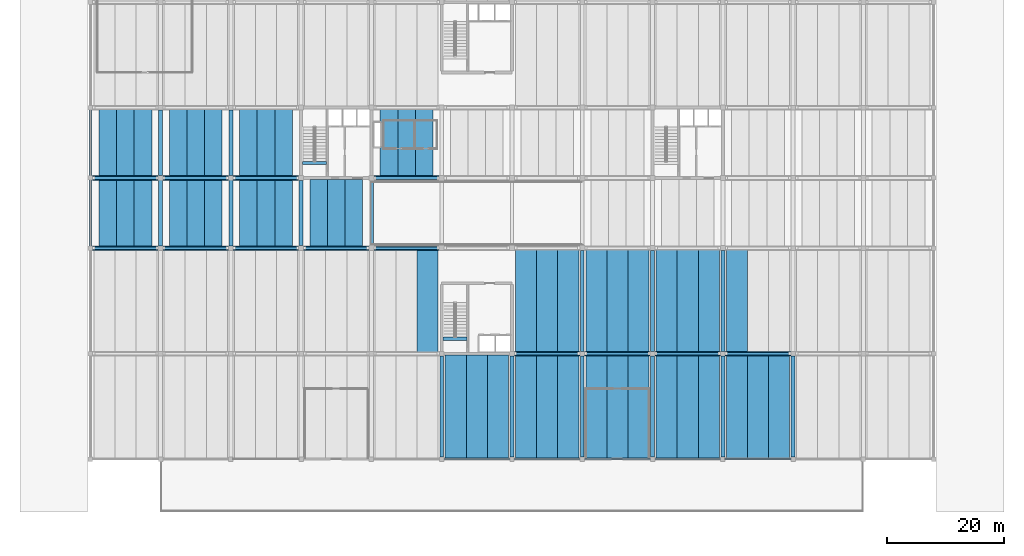
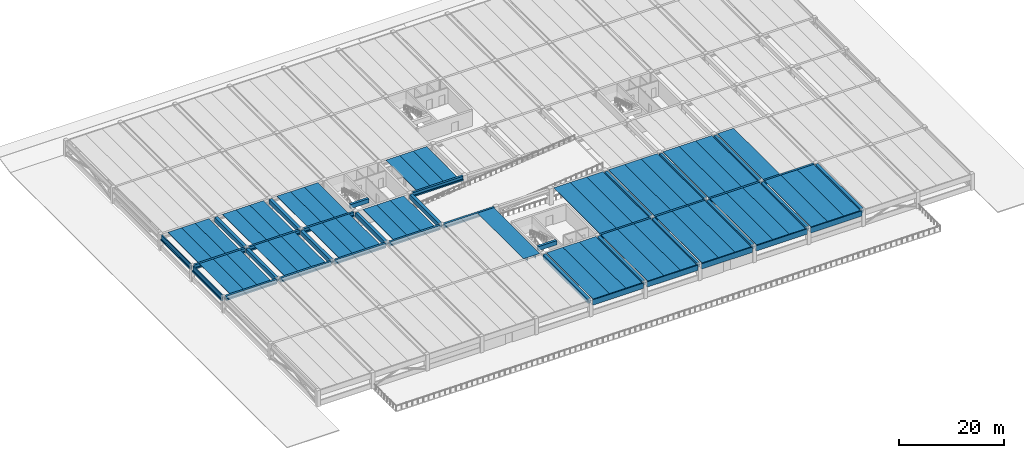
# One storey, part 2 of 16: 87 beams.
"""IFC4 building model written with IfcOpenShell, lengths in metres."""

from ifc_helpers import new_model, si_unit, direction, frame, origin, origin_2d, place, context, subcontext, project, spatial, polyline, rectangle, outline, extrude, material, material_profile, profile_set, type_object, element, save


model = new_model("IFC4")

# Units and contexts
model_context = context("Model", 3, precision=1e-05, world=origin(), true_north=direction((0.0, 1.0)))
body_context = subcontext(model_context, "Body", "Model", "MODEL_VIEW")
ifc_project = project(units=[si_unit("LENGTHUNIT", "METRE"), si_unit("AREAUNIT", "SQUARE_METRE"), si_unit("VOLUMEUNIT", "CUBIC_METRE"), si_unit("PLANEANGLEUNIT", "RADIAN"), si_unit("MASSUNIT", "GRAM", prefix="KILO")], contexts=[model_context])

# Site, building, storey
site_placement = place(None, origin())
site = spatial("IfcSite", under=ifc_project, at=site_placement, CompositionType="ELEMENT")
building_placement = place(site_placement, origin())
building = spatial("IfcBuilding", under=site, at=building_placement, Name="Girod Span Mobility Hub", CompositionType="ELEMENT")
storey_placement = place(building_placement, frame((0.0, 0.0, 21.0)))
storey = spatial("IfcBuildingStorey", under=building, at=storey_placement, Name="L05", CompositionType="ELEMENT", Elevation=21.0)

# Beams
ifc_material_1 = material(Name="Concrete C50/60", Category="concrete")
ifc_material_profile_1 = material_profile(ifc_material_1, outline(polyline([(-1.5, 0.300048828125), (-1.5, 0.2099609375), (-0.8349609375, 0.2099609375), (-0.8125, -0.300048828125), (-0.6875, -0.300048828125), (-0.6650390625, 0.2099609375), (0.6650390625, 0.2099609375), (0.6875, -0.300048828125), (0.8125, -0.300048828125), (0.8349609375, 0.2099609375), (1.5, 0.2099609375), (1.5, 0.300048828125), (-1.5, 0.300048828125)])), Name="DT-3000X600")
ifc_profile_set_1 = profile_set([ifc_material_profile_1], Name="Concrete C50/60")
beam_type_1 = type_object("IfcBeamType", Name="BM-DT-3000X600", PredefinedType="JOIST", material=ifc_profile_set_1)
for number, where, z_axis, x_axis, name in (
    (1, (15.0, 45.22705078125, 3.3349609375), (0.0, 1.0, 0.0), (-1.0, 0.0, 0.0), "Double-Tee Deck 2/D-1 L05"),
    (2, (18.0, 45.22705078125, 3.3349609375), (0.0, 1.0, 0.0), (-1.0, 0.0, 0.0), "Double-Tee Deck 2/D-2 L05"),
    (3, (21.0, 45.22705078125, 3.3349609375), (0.0, 1.0, 0.0), (-1.0, 0.0, 0.0), "Double-Tee Deck 2/D-3 L05"),
    (4, (15.0, 57.22705078125, 3.3349609375), (0.0, 1.0, 0.0), (-1.0, 0.0, 0.0), "Double-Tee Deck 2/E-1 L05"),
    (5, (18.0, 57.22705078125, 3.3349609375), (0.0, 1.0, 0.0), (-1.0, 0.0, 0.0), "Double-Tee Deck 2/E-2 L05"),
    (6, (21.0, 57.22705078125, 3.3349609375), (0.0, 1.0, 0.0), (-1.0, 0.0, 0.0), "Double-Tee Deck 2/E-3 L05"),
    (7, (27.0, 45.22705078125, 3.3349609375), (0.0, 1.0, 0.0), (-1.0, 0.0, 0.0), "Double-Tee Deck 3/D-1 L05"),
    (8, (30.0, 45.22705078125, 3.3349609375), (0.0, 1.0, 0.0), (-1.0, 0.0, 0.0), "Double-Tee Deck 3/D-2 L05"),
    (9, (33.0, 45.22705078125, 3.3349609375), (0.0, 1.0, 0.0), (-1.0, 0.0, 0.0), "Double-Tee Deck 3/D-3 L05"),
    (10, (27.0, 57.22705078125, 3.3349609375), (0.0, 1.0, 0.0), (-1.0, 0.0, 0.0), "Double-Tee Deck 3/E-1 L05"),
    (11, (30.0, 57.22705078125, 3.3349609375), (0.0, 1.0, 0.0), (-1.0, 0.0, 0.0), "Double-Tee Deck 3/E-2 L05"),
    (12, (33.0, 57.22705078125, 3.3349609375), (0.0, 1.0, 0.0), (-1.0, 0.0, 0.0), "Double-Tee Deck 3/E-3 L05"),
    (13, (39.0, 45.22705078125, 3.3349609375), (0.0, 1.0, 0.0), (-1.0, 0.0, 0.0), "Double-Tee Deck 4/D-1 L05"),
    (14, (42.0, 45.22705078125, 3.3349609375), (0.0, 1.0, 0.0), (-1.0, 0.0, 0.0), "Double-Tee Deck 4/D-2 L05"),
    (15, (45.0, 45.22705078125, 3.3349609375), (0.0, 1.0, 0.0), (-1.0, 0.0, 0.0), "Double-Tee Deck 4/D-3 L05"),
    (16, (39.0, 57.22705078125, 3.3349609375), (0.0, 1.0, 0.0), (-1.0, 0.0, 0.0), "Double-Tee Deck 4/E-1 L05"),
    (17, (42.0, 57.22705078125, 3.3349609375), (0.0, 1.0, 0.0), (-1.0, 0.0, 0.0), "Double-Tee Deck 4/E-2 L05"),
    (18, (45.0, 57.22705078125, 3.3349609375), (0.0, 1.0, 0.0), (-1.0, 0.0, 0.0), "Double-Tee Deck 4/E-3 L05"),
):
    element("IfcBeam", number, at=place(storey_placement, frame(where, z_axis=z_axis, x_axis=x_axis)), inside=storey, type_object=beam_type_1, Name=name, PredefinedType="JOIST", context=body_context, shape_type="SweptSolid", body=[
        extrude(outline(polyline([(-1.5, 0.300048828125), (-1.5, 0.2099609375), (-0.8349609375, 0.2099609375), (-0.8125, -0.300048828125), (-0.6875, -0.300048828125), (-0.6650390625, 0.2099609375), (0.6650390625, 0.2099609375), (0.6875, -0.300048828125), (0.8125, -0.300048828125), (0.8349609375, 0.2099609375), (1.5, 0.2099609375), (1.5, 0.300048828125), (-1.5, 0.300048828125)])), origin(), (0.0, 0.0, 1.0), 11.5458984375),
    ])
for number, where, z_axis, x_axis, name in (
    (19, (51.0, 45.22705078125, 3.3349609375), (0.0, 1.0, 0.0), (-1.0, 0.0, 0.0), "Double-Tee Deck 5/D-1 L05"),
    (20, (54.0, 45.22705078125, 3.3349609375), (0.0, 1.0, 0.0), (-1.0, 0.0, 0.0), "Double-Tee Deck 5/D-2 L05"),
    (21, (57.0, 45.22705078125, 3.3349609375), (0.0, 1.0, 0.0), (-1.0, 0.0, 0.0), "Double-Tee Deck 5/D-3 L05"),
):
    element("IfcBeam", number, at=place(storey_placement, frame(where, z_axis=z_axis, x_axis=x_axis)), inside=storey, type_object=beam_type_1, Name=name, PredefinedType="JOIST", context=body_context, shape_type="SweptSolid", body=[
        extrude(outline(polyline([(-1.5, 0.300048828125), (-1.5, 0.2099609375), (-0.8349609375, 0.2099609375), (-0.8125, -0.300048828125), (-0.6875, -0.300048828125), (-0.6650390625, 0.2099609375), (0.6650390625, 0.2099609375), (0.6875, -0.300048828125), (0.8125, -0.300048828125), (0.8349609375, 0.2099609375), (1.5, 0.2099609375), (1.5, 0.300048828125), (-1.5, 0.300048828125)])), origin(), (0.0, 0.0, 1.0), 11.52587890625),
    ])
for number, where, z_axis, x_axis, name in (
    (22, (63.0, 57.22705078125, 3.3349609375), (0.0, 1.0, 0.0), (-1.0, 0.0, 0.0), "Double-Tee Deck 6/E-1 L05"),
    (23, (66.0, 57.22705078125, 3.3349609375), (0.0, 1.0, 0.0), (-1.0, 0.0, 0.0), "Double-Tee Deck 6/E-2 L05"),
    (24, (69.0, 57.22705078125, 3.3349609375), (0.0, 1.0, 0.0), (-1.0, 0.0, 0.0), "Double-Tee Deck 6/E-3 L05"),
):
    element("IfcBeam", number, at=place(storey_placement, frame(where, z_axis=z_axis, x_axis=x_axis)), inside=storey, type_object=beam_type_1, Name=name, PredefinedType="JOIST", context=body_context, shape_type="SweptSolid", body=[
        extrude(outline(polyline([(-1.5, 0.300048828125), (-1.5, 0.2099609375), (-0.8349609375, 0.2099609375), (-0.8125, -0.300048828125), (-0.6875, -0.300048828125), (-0.6650390625, 0.2099609375), (0.6650390625, 0.2099609375), (0.6875, -0.300048828125), (0.8125, -0.300048828125), (0.8349609375, 0.2099609375), (1.5, 0.2099609375), (1.5, 0.300048828125), (-1.5, 0.300048828125)])), origin(), (0.0, 0.0, 1.0), 11.5458984375),
    ])
ifc_material_2 = material(Name="Concrete C50/60", Category="concrete")
ifc_material_profile_2 = material_profile(ifc_material_2, outline(polyline([(-1.800048828125, 0.425048828125), (-1.800048828125, 0.324951171875), (-1.0, 0.324951171875), (-0.969970703125, -0.425048828125), (-0.830078125, -0.425048828125), (-0.800048828125, 0.324951171875), (0.800048828125, 0.324951171875), (0.830078125, -0.425048828125), (0.969970703125, -0.425048828125), (1.0, 0.324951171875), (1.800048828125, 0.324951171875), (1.800048828125, 0.425048828125), (-1.800048828125, 0.425048828125)])), Name="DT-3600X850")
ifc_profile_set_2 = profile_set([ifc_material_profile_2], Name="Concrete C50/60")
beam_type_2 = type_object("IfcBeamType", Name="BM-DT-3600X850", PredefinedType="JOIST", material=ifc_profile_set_2)
beam_1_placement = place(storey_placement, frame((69.60009765625, 27.22705078125, 3.2099609375), z_axis=(0.0, 1.0, 0.0), x_axis=(-1.0, 0.0, 0.0)))
element("IfcBeam", 25, at=beam_1_placement, inside=storey, type_object=beam_type_2, Name="Double-Tee Deck 6/C-3 L05", PredefinedType="JOIST", context=body_context, shape_type="SweptSolid", body=[
    extrude(outline(polyline([(-1.800048828125, 0.425048828125), (-1.800048828125, 0.324951171875), (-1.0, 0.324951171875), (-0.969970703125, -0.425048828125), (-0.830078125, -0.425048828125), (-0.800048828125, 0.324951171875), (0.800048828125, 0.324951171875), (0.830078125, -0.425048828125), (0.969970703125, -0.425048828125), (1.0, 0.324951171875), (1.800048828125, 0.324951171875), (1.800048828125, 0.425048828125), (-1.800048828125, 0.425048828125)])), origin(), (0.0, 0.0, 1.0), 17.5458984375),
])
for number, where, z_axis, x_axis, name in (
    (26, (74.39990234375, 9.01708984375, 3.2099609375), (0.0, 1.0, 0.0), (-1.0, 0.0, 0.0), "Double-Tee Deck 7/B-1 L05"),
    (27, (78.0, 9.01708984375, 3.2099609375), (0.0, 1.0, 0.0), (-1.0, 0.0, 0.0), "Double-Tee Deck 7/B-2 L05"),
    (28, (81.60009765625, 9.01708984375, 3.2099609375), (0.0, 1.0, 0.0), (-1.0, 0.0, 0.0), "Double-Tee Deck 7/B-3 L05"),
):
    element("IfcBeam", number, at=place(storey_placement, frame(where, z_axis=z_axis, x_axis=x_axis)), inside=storey, type_object=beam_type_2, Name=name, PredefinedType="JOIST", context=body_context, shape_type="SweptSolid", body=[
        extrude(outline(polyline([(-1.800048828125, 0.425048828125), (-1.800048828125, 0.324951171875), (-1.0, 0.324951171875), (-0.969970703125, -0.425048828125), (-0.830078125, -0.425048828125), (-0.800048828125, 0.324951171875), (0.800048828125, 0.324951171875), (0.830078125, -0.425048828125), (0.969970703125, -0.425048828125), (1.0, 0.324951171875), (1.800048828125, 0.324951171875), (1.800048828125, 0.425048828125), (-1.800048828125, 0.425048828125)])), origin(), (0.0, 0.0, 1.0), 17.760986328125),
    ])
for number, where, z_axis, x_axis, name in (
    (29, (86.39990234375, 9.01708984375, 3.2099609375), (0.0, 1.0, 0.0), (-1.0, 0.0, 0.0), "Double-Tee Deck 8/B-1 L05"),
    (30, (90.0, 9.01708984375, 3.2099609375), (0.0, 1.0, 0.0), (-1.0, 0.0, 0.0), "Double-Tee Deck 8/B-2 L05"),
    (31, (93.60009765625, 9.01708984375, 3.2099609375), (0.0, 1.0, 0.0), (-1.0, 0.0, 0.0), "Double-Tee Deck 8/B-3 L05"),
):
    element("IfcBeam", number, at=place(storey_placement, frame(where, z_axis=z_axis, x_axis=x_axis)), inside=storey, type_object=beam_type_2, Name=name, PredefinedType="JOIST", context=body_context, shape_type="SweptSolid", body=[
        extrude(outline(polyline([(-1.800048828125, 0.425048828125), (-1.800048828125, 0.324951171875), (-1.0, 0.324951171875), (-0.969970703125, -0.425048828125), (-0.830078125, -0.425048828125), (-0.800048828125, 0.324951171875), (0.800048828125, 0.324951171875), (0.830078125, -0.425048828125), (0.969970703125, -0.425048828125), (1.0, 0.324951171875), (1.800048828125, 0.324951171875), (1.800048828125, 0.425048828125), (-1.800048828125, 0.425048828125)])), origin(), (0.0, 0.0, 1.0), 17.755859375),
    ])
for number, where, z_axis, x_axis, name in (
    (32, (86.39990234375, 27.22705078125, 3.2099609375), (0.0, 1.0, 0.0), (-1.0, 0.0, 0.0), "Double-Tee Deck 8/C-1 L05"),
    (33, (90.0, 27.22705078125, 3.2099609375), (0.0, 1.0, 0.0), (-1.0, 0.0, 0.0), "Double-Tee Deck 8/C-2 L05"),
    (34, (93.60009765625, 27.22705078125, 3.2099609375), (0.0, 1.0, 0.0), (-1.0, 0.0, 0.0), "Double-Tee Deck 8/C-3 L05"),
):
    element("IfcBeam", number, at=place(storey_placement, frame(where, z_axis=z_axis, x_axis=x_axis)), inside=storey, type_object=beam_type_2, Name=name, PredefinedType="JOIST", context=body_context, shape_type="SweptSolid", body=[
        extrude(outline(polyline([(-1.800048828125, 0.425048828125), (-1.800048828125, 0.324951171875), (-1.0, 0.324951171875), (-0.969970703125, -0.425048828125), (-0.830078125, -0.425048828125), (-0.800048828125, 0.324951171875), (0.800048828125, 0.324951171875), (0.830078125, -0.425048828125), (0.969970703125, -0.425048828125), (1.0, 0.324951171875), (1.800048828125, 0.324951171875), (1.800048828125, 0.425048828125), (-1.800048828125, 0.425048828125)])), origin(), (0.0, 0.0, 1.0), 17.5458984375),
    ])
for number, where, z_axis, x_axis, name in (
    (35, (98.39990234375, 9.01708984375, 3.2099609375), (0.0, 1.0, 0.0), (-1.0, 0.0, 0.0), "Double-Tee Deck 9/B-1 L05"),
    (36, (102.0, 9.01708984375, 3.2099609375), (0.0, 1.0, 0.0), (-1.0, 0.0, 0.0), "Double-Tee Deck 9/B-2 L05"),
    (37, (105.60009765625, 9.01708984375, 3.2099609375), (0.0, 1.0, 0.0), (-1.0, 0.0, 0.0), "Double-Tee Deck 9/B-3 L05"),
):
    element("IfcBeam", number, at=place(storey_placement, frame(where, z_axis=z_axis, x_axis=x_axis)), inside=storey, type_object=beam_type_2, Name=name, PredefinedType="JOIST", context=body_context, shape_type="SweptSolid", body=[
        extrude(outline(polyline([(-1.800048828125, 0.425048828125), (-1.800048828125, 0.324951171875), (-1.0, 0.324951171875), (-0.969970703125, -0.425048828125), (-0.830078125, -0.425048828125), (-0.800048828125, 0.324951171875), (0.800048828125, 0.324951171875), (0.830078125, -0.425048828125), (0.969970703125, -0.425048828125), (1.0, 0.324951171875), (1.800048828125, 0.324951171875), (1.800048828125, 0.425048828125), (-1.800048828125, 0.425048828125)])), origin(), (0.0, 0.0, 1.0), 17.755859375),
    ])
for number, where, z_axis, x_axis, name in (
    (38, (98.39990234375, 27.22705078125, 3.2099609375), (0.0, 1.0, 0.0), (-1.0, 0.0, 0.0), "Double-Tee Deck 9/C-1 L05"),
    (39, (102.0, 27.22705078125, 3.2099609375), (0.0, 1.0, 0.0), (-1.0, 0.0, 0.0), "Double-Tee Deck 9/C-2 L05"),
    (40, (105.60009765625, 27.22705078125, 3.2099609375), (0.0, 1.0, 0.0), (-1.0, 0.0, 0.0), "Double-Tee Deck 9/C-3 L05"),
):
    element("IfcBeam", number, at=place(storey_placement, frame(where, z_axis=z_axis, x_axis=x_axis)), inside=storey, type_object=beam_type_2, Name=name, PredefinedType="JOIST", context=body_context, shape_type="SweptSolid", body=[
        extrude(outline(polyline([(-1.800048828125, 0.425048828125), (-1.800048828125, 0.324951171875), (-1.0, 0.324951171875), (-0.969970703125, -0.425048828125), (-0.830078125, -0.425048828125), (-0.800048828125, 0.324951171875), (0.800048828125, 0.324951171875), (0.830078125, -0.425048828125), (0.969970703125, -0.425048828125), (1.0, 0.324951171875), (1.800048828125, 0.324951171875), (1.800048828125, 0.425048828125), (-1.800048828125, 0.425048828125)])), origin(), (0.0, 0.0, 1.0), 17.5458984375),
    ])
for number, where, z_axis, x_axis, name in (
    (41, (110.39990234375, 9.01708984375, 3.2099609375), (0.0, 1.0, 0.0), (-1.0, 0.0, 0.0), "Double-Tee Deck 10/B-1 L05"),
    (42, (114.0, 9.01708984375, 3.2099609375), (0.0, 1.0, 0.0), (-1.0, 0.0, 0.0), "Double-Tee Deck 10/B-2 L05"),
    (43, (117.60009765625, 9.01708984375, 3.2099609375), (0.0, 1.0, 0.0), (-1.0, 0.0, 0.0), "Double-Tee Deck 10/B-3 L05"),
):
    element("IfcBeam", number, at=place(storey_placement, frame(where, z_axis=z_axis, x_axis=x_axis)), inside=storey, type_object=beam_type_2, Name=name, PredefinedType="JOIST", context=body_context, shape_type="SweptSolid", body=[
        extrude(outline(polyline([(-1.800048828125, 0.425048828125), (-1.800048828125, 0.324951171875), (-1.0, 0.324951171875), (-0.969970703125, -0.425048828125), (-0.830078125, -0.425048828125), (-0.800048828125, 0.324951171875), (0.800048828125, 0.324951171875), (0.830078125, -0.425048828125), (0.969970703125, -0.425048828125), (1.0, 0.324951171875), (1.800048828125, 0.324951171875), (1.800048828125, 0.425048828125), (-1.800048828125, 0.425048828125)])), origin(), (0.0, 0.0, 1.0), 17.755859375),
    ])
for number, where, z_axis, x_axis, name in (
    (44, (110.39990234375, 27.22705078125, 3.2099609375), (0.0, 1.0, 0.0), (-1.0, 0.0, 0.0), "Double-Tee Deck 10/C-1 L05"),
    (45, (114.0, 27.22705078125, 3.2099609375), (0.0, 1.0, 0.0), (-1.0, 0.0, 0.0), "Double-Tee Deck 10/C-2 L05"),
    (46, (117.60009765625, 27.22705078125, 3.2099609375), (0.0, 1.0, 0.0), (-1.0, 0.0, 0.0), "Double-Tee Deck 10/C-3 L05"),
):
    element("IfcBeam", number, at=place(storey_placement, frame(where, z_axis=z_axis, x_axis=x_axis)), inside=storey, type_object=beam_type_2, Name=name, PredefinedType="JOIST", context=body_context, shape_type="SweptSolid", body=[
        extrude(outline(polyline([(-1.800048828125, 0.425048828125), (-1.800048828125, 0.324951171875), (-1.0, 0.324951171875), (-0.969970703125, -0.425048828125), (-0.830078125, -0.425048828125), (-0.800048828125, 0.324951171875), (0.800048828125, 0.324951171875), (0.830078125, -0.425048828125), (0.969970703125, -0.425048828125), (1.0, 0.324951171875), (1.800048828125, 0.324951171875), (1.800048828125, 0.425048828125), (-1.800048828125, 0.425048828125)])), origin(), (0.0, 0.0, 1.0), 17.5458984375),
    ])
for number, where, z_axis, x_axis, name in (
    (47, (122.39990234375, 9.01708984375, 3.2099609375), (0.0, 1.0, 0.0), (-1.0, 0.0, 0.0), "Double-Tee Deck 11/B-1 L05"),
    (48, (126.0, 9.01708984375, 3.2099609375), (0.0, 1.0, 0.0), (-1.0, 0.0, 0.0), "Double-Tee Deck 11/B-2 L05"),
    (49, (129.60009765625, 9.01708984375, 3.2099609375), (0.0, 1.0, 0.0), (-1.0, 0.0, 0.0), "Double-Tee Deck 11/B-3 L05"),
):
    element("IfcBeam", number, at=place(storey_placement, frame(where, z_axis=z_axis, x_axis=x_axis)), inside=storey, type_object=beam_type_2, Name=name, PredefinedType="JOIST", context=body_context, shape_type="SweptSolid", body=[
        extrude(outline(polyline([(-1.800048828125, 0.425048828125), (-1.800048828125, 0.324951171875), (-1.0, 0.324951171875), (-0.969970703125, -0.425048828125), (-0.830078125, -0.425048828125), (-0.800048828125, 0.324951171875), (0.800048828125, 0.324951171875), (0.830078125, -0.425048828125), (0.969970703125, -0.425048828125), (1.0, 0.324951171875), (1.800048828125, 0.324951171875), (1.800048828125, 0.425048828125), (-1.800048828125, 0.425048828125)])), origin(), (0.0, 0.0, 1.0), 17.755859375),
    ])
beam_2_placement = place(storey_placement, frame((122.39990234375, 27.22705078125, 3.2099609375), z_axis=(0.0, 1.0, 0.0), x_axis=(-1.0, 0.0, 0.0)))
element("IfcBeam", 50, at=beam_2_placement, inside=storey, type_object=beam_type_2, Name="Double-Tee Deck 11/C-1 L05", PredefinedType="JOIST", context=body_context, shape_type="SweptSolid", body=[
    extrude(outline(polyline([(-1.800048828125, 0.425048828125), (-1.800048828125, 0.324951171875), (-1.0, 0.324951171875), (-0.969970703125, -0.425048828125), (-0.830078125, -0.425048828125), (-0.800048828125, 0.324951171875), (0.800048828125, 0.324951171875), (0.830078125, -0.425048828125), (0.969970703125, -0.425048828125), (1.0, 0.324951171875), (1.800048828125, 0.324951171875), (1.800048828125, 0.425048828125), (-1.800048828125, 0.425048828125)])), origin(), (0.0, 0.0, 1.0), 17.5458984375),
])
ifc_material_3 = material(Name="Concrete C50/60", Category="concrete")
ifc_material_profile_3 = material_profile(ifc_material_3, outline(polyline([(-0.39990234375, -0.449951171875), (0.39990234375, -0.449951171875), (0.39990234375, -0.14990234375), (0.22998046875, -0.14990234375), (0.22998046875, 0.449951171875), (-0.22998046875, 0.449951171875), (-0.22998046875, -0.14990234375), (-0.39990234375, -0.14990234375), (-0.39990234375, -0.449951171875)])), Name="IT-800X900")
ifc_profile_set_3 = profile_set([ifc_material_profile_3], Name="Concrete C50/60")
beam_type_3 = type_object("IfcBeamType", Name="BM-IT-800X900", PredefinedType="T_BEAM", material=ifc_profile_set_3)
for number, where, z_axis, x_axis, name in (
    (51, (84.39697265625, 27.0, 3.18505859375), (1.0, 0.0, 0.0), (0.0, 1.0, 0.0), "Girder 8-9/C L05"),
    (52, (96.39697265625, 27.0, 3.18505859375), (1.0, 0.0, 0.0), (0.0, 1.0, 0.0), "Girder 9-10/C L05"),
    (53, (108.39697265625, 27.0, 3.18505859375), (1.0, 0.0, 0.0), (0.0, 1.0, 0.0), "Girder 10-11/C L05"),
    (54, (120.39697265625, 27.0, 3.18505859375), (1.0, 0.0, 0.0), (0.0, 1.0, 0.0), "Girder 11-12/C L05"),
):
    element("IfcBeam", number, at=place(storey_placement, frame(where, z_axis=z_axis, x_axis=x_axis)), inside=storey, type_object=beam_type_3, Name=name, PredefinedType="T_BEAM", context=body_context, shape_type="SweptSolid", body=[
        extrude(outline(polyline([(-0.39990234375, -0.449951171875), (0.39990234375, -0.449951171875), (0.39990234375, -0.14990234375), (0.22998046875, -0.14990234375), (0.22998046875, 0.449951171875), (-0.22998046875, 0.449951171875), (-0.22998046875, -0.14990234375), (-0.39990234375, -0.14990234375), (-0.39990234375, -0.449951171875)])), origin(), (0.0, 0.0, 1.0), 11.2060546875),
    ])
beam_3_placement = place(storey_placement, frame((12.3720703125, 45.0, 3.18505859375), z_axis=(1.0, 0.0, 0.0), x_axis=(0.0, 1.0, 0.0)))
element("IfcBeam", 55, at=beam_3_placement, inside=storey, type_object=beam_type_3, Name="Girder 2-3/D L05", PredefinedType="T_BEAM", context=body_context, shape_type="SweptSolid", body=[
    extrude(outline(polyline([(-0.39990234375, -0.449951171875), (0.39990234375, -0.449951171875), (0.39990234375, -0.14990234375), (0.22998046875, -0.14990234375), (0.22998046875, 0.449951171875), (-0.22998046875, 0.449951171875), (-0.22998046875, -0.14990234375), (-0.39990234375, -0.14990234375), (-0.39990234375, -0.449951171875)])), origin(), (0.0, 0.0, 1.0), 11.23095703125),
])
beam_4_placement = place(storey_placement, frame((24.39697265625, 45.0, 3.18505859375), z_axis=(1.0, 0.0, 0.0), x_axis=(0.0, 1.0, 0.0)))
element("IfcBeam", 56, at=beam_4_placement, inside=storey, type_object=beam_type_3, Name="Girder 3-4/D L05", PredefinedType="T_BEAM", context=body_context, shape_type="SweptSolid", body=[
    extrude(outline(polyline([(-0.39990234375, -0.449951171875), (0.39990234375, -0.449951171875), (0.39990234375, -0.14990234375), (0.22998046875, -0.14990234375), (0.22998046875, 0.449951171875), (-0.22998046875, 0.449951171875), (-0.22998046875, -0.14990234375), (-0.39990234375, -0.14990234375), (-0.39990234375, -0.449951171875)])), origin(), (0.0, 0.0, 1.0), 11.2060546875),
])
beam_5_placement = place(storey_placement, frame((36.39697265625, 45.0, 3.18505859375), z_axis=(1.0, 0.0, 0.0), x_axis=(0.0, 1.0, 0.0)))
element("IfcBeam", 57, at=beam_5_placement, inside=storey, type_object=beam_type_3, Name="Girder 4-5/D L05", PredefinedType="T_BEAM", context=body_context, shape_type="SweptSolid", body=[
    extrude(outline(polyline([(-0.39990234375, -0.449951171875), (0.39990234375, -0.449951171875), (0.39990234375, -0.14990234375), (0.22998046875, -0.14990234375), (0.22998046875, 0.449951171875), (-0.22998046875, 0.449951171875), (-0.22998046875, -0.14990234375), (-0.39990234375, -0.14990234375), (-0.39990234375, -0.449951171875)])), origin(), (0.0, 0.0, 1.0), 11.180908203125),
])
for number, where, z_axis, x_axis, name in (
    (58, (48.422119140625, 45.0, 3.18505859375), (1.0, 0.0, 0.0), (0.0, 1.0, 0.0), "Girder 5-6/D L05"),
    (59, (60.422119140625, 45.0, 3.18505859375), (1.0, 0.0, 0.0), (0.0, 1.0, 0.0), "Girder 6-7/D L05"),
):
    element("IfcBeam", number, at=place(storey_placement, frame(where, z_axis=z_axis, x_axis=x_axis)), inside=storey, type_object=beam_type_3, Name=name, PredefinedType="T_BEAM", context=body_context, shape_type="SweptSolid", body=[
        extrude(outline(polyline([(-0.39990234375, -0.449951171875), (0.39990234375, -0.449951171875), (0.39990234375, -0.14990234375), (0.22998046875, -0.14990234375), (0.22998046875, 0.449951171875), (-0.22998046875, 0.449951171875), (-0.22998046875, -0.14990234375), (-0.39990234375, -0.14990234375), (-0.39990234375, -0.449951171875)])), origin(), (0.0, 0.0, 1.0), 11.15576171875),
    ])
beam_6_placement = place(storey_placement, frame((12.3720703125, 57.0, 3.18505859375), z_axis=(1.0, 0.0, 0.0), x_axis=(0.0, 1.0, 0.0)))
element("IfcBeam", 60, at=beam_6_placement, inside=storey, type_object=beam_type_3, Name="Girder 2-3/E L05", PredefinedType="T_BEAM", context=body_context, shape_type="SweptSolid", body=[
    extrude(outline(polyline([(-0.39990234375, -0.449951171875), (0.39990234375, -0.449951171875), (0.39990234375, -0.14990234375), (0.22998046875, -0.14990234375), (0.22998046875, 0.449951171875), (-0.22998046875, 0.449951171875), (-0.22998046875, -0.14990234375), (-0.39990234375, -0.14990234375), (-0.39990234375, -0.449951171875)])), origin(), (0.0, 0.0, 1.0), 11.23095703125),
])
beam_7_placement = place(storey_placement, frame((24.39697265625, 57.0, 3.18505859375), z_axis=(1.0, 0.0, 0.0), x_axis=(0.0, 1.0, 0.0)))
element("IfcBeam", 61, at=beam_7_placement, inside=storey, type_object=beam_type_3, Name="Girder 3-4/E L05", PredefinedType="T_BEAM", context=body_context, shape_type="SweptSolid", body=[
    extrude(outline(polyline([(-0.39990234375, -0.449951171875), (0.39990234375, -0.449951171875), (0.39990234375, -0.14990234375), (0.22998046875, -0.14990234375), (0.22998046875, 0.449951171875), (-0.22998046875, 0.449951171875), (-0.22998046875, -0.14990234375), (-0.39990234375, -0.14990234375), (-0.39990234375, -0.449951171875)])), origin(), (0.0, 0.0, 1.0), 11.2060546875),
])
beam_8_placement = place(storey_placement, frame((36.39697265625, 57.0, 3.18505859375), z_axis=(1.0, 0.0, 0.0), x_axis=(0.0, 1.0, 0.0)))
element("IfcBeam", 62, at=beam_8_placement, inside=storey, type_object=beam_type_3, Name="Girder 4-5/E L05", PredefinedType="T_BEAM", context=body_context, shape_type="SweptSolid", body=[
    extrude(outline(polyline([(-0.39990234375, -0.449951171875), (0.39990234375, -0.449951171875), (0.39990234375, -0.14990234375), (0.22998046875, -0.14990234375), (0.22998046875, 0.449951171875), (-0.22998046875, 0.449951171875), (-0.22998046875, -0.14990234375), (-0.39990234375, -0.14990234375), (-0.39990234375, -0.449951171875)])), origin(), (0.0, 0.0, 1.0), 11.180908203125),
])
beam_9_placement = place(storey_placement, frame((60.422119140625, 57.0, 3.18505859375), z_axis=(1.0, 0.0, 0.0), x_axis=(0.0, 1.0, 0.0)))
element("IfcBeam", 63, at=beam_9_placement, inside=storey, type_object=beam_type_3, Name="Girder 6-7/E L05", PredefinedType="T_BEAM", context=body_context, shape_type="SweptSolid", body=[
    extrude(outline(polyline([(-0.39990234375, -0.449951171875), (0.39990234375, -0.449951171875), (0.39990234375, -0.14990234375), (0.22998046875, -0.14990234375), (0.22998046875, 0.449951171875), (-0.22998046875, 0.449951171875), (-0.22998046875, -0.14990234375), (-0.39990234375, -0.14990234375), (-0.39990234375, -0.449951171875)])), origin(), (0.0, 0.0, 1.0), 11.15576171875),
])
ifc_material_4 = material(Name="Concrete C40/50", Category="concrete")
ifc_material_profile_4 = material_profile(ifc_material_4, rectangle(XDim=0.550048828125, YDim=0.949951171875, at=origin_2d()), Name="RK-550X950")
ifc_profile_set_4 = profile_set([ifc_material_profile_4], Name="Concrete C40/50")
beam_type_4 = type_object("IfcBeamType", Name="BM-RK-550X950", PredefinedType="BEAM", material=ifc_profile_set_4)
beam_10_placement = place(storey_placement, frame((48.2470703125, 59.550048828125, 3.159912109375), z_axis=(1.0, 0.0, 0.0), x_axis=(0.0, 1.0, 0.0)))
element("IfcBeam", 64, at=beam_10_placement, inside=storey, type_object=beam_type_4, Name="Stair ST-1 Landing Header Beam L05", PredefinedType="BEAM", context=body_context, shape_type="SweptSolid", body=[
    extrude(rectangle(XDim=0.550048828125, YDim=0.949951171875, at=origin_2d()), origin(), (0.0, 0.0, 1.0), 4.055908203125),
])
beam_11_placement = place(storey_placement, frame((72.221923828125, 29.550048828125, 3.159912109375), z_axis=(1.0, 0.0, 0.0), x_axis=(0.0, 1.0, 0.0)))
element("IfcBeam", 65, at=beam_11_placement, inside=storey, type_object=beam_type_4, Name="Stair ST-3 Landing Header Beam L05", PredefinedType="BEAM", context=body_context, shape_type="SweptSolid", body=[
    extrude(rectangle(XDim=0.550048828125, YDim=0.949951171875, at=origin_2d()), origin(), (0.0, 0.0, 1.0), 4.0810546875),
])
ifc_material_5 = material(Name="Concrete C40/50", Category="concrete")
ifc_material_profile_5 = material_profile(ifc_material_5, outline(polyline([(-0.199951171875, -0.625), (0.199951171875, -0.625), (0.199951171875, -0.304931640625), (0.02001953125, -0.304931640625), (0.02001953125, 0.625), (-0.199951171875, 0.625), (-0.199951171875, -0.625)])), Name="SP-400X1250")
ifc_profile_set_5 = profile_set([ifc_material_profile_5], Name="Concrete C40/50")
beam_type_5 = type_object("IfcBeamType", Name="BM-SP-400X1250", PredefinedType="SPANDREL", material=ifc_profile_set_5)
for number, where, z_axis, x_axis, name in (
    (66, (72.3720703125, 9.0, 3.010009765625), (1.0, 0.0, 0.0), (0.0, 1.0, 0.0), "Girder 7-8/B L05"),
    (67, (84.3720703125, 9.0, 3.010009765625), (1.0, 0.0, 0.0), (0.0, 1.0, 0.0), "Girder 8-9/B L05"),
    (68, (96.3720703125, 9.0, 3.010009765625), (1.0, 0.0, 0.0), (0.0, 1.0, 0.0), "Girder 9-10/B L05"),
    (69, (108.3720703125, 9.0, 3.010009765625), (1.0, 0.0, 0.0), (0.0, 1.0, 0.0), "Girder 10-11/B L05"),
    (70, (120.3720703125, 9.0, 3.010009765625), (1.0, 0.0, 0.0), (0.0, 1.0, 0.0), "Girder 11-12/B L05"),
    (71, (12.0, 45.3720703125, 3.010009765625), (0.0, 1.0, 0.0), (-1.0, 0.0, 0.0), "Tie Girder 2/D-E L05"),
    (72, (12.0, 57.3720703125, 3.010009765625), (0.0, 1.0, 0.0), (-1.0, 0.0, 0.0), "Tie Girder 2/E-F L05"),
):
    element("IfcBeam", number, at=place(storey_placement, frame(where, z_axis=z_axis, x_axis=x_axis)), inside=storey, type_object=beam_type_5, Name=name, PredefinedType="SPANDREL", context=body_context, shape_type="SweptSolid", body=[
        extrude(outline(polyline([(-0.199951171875, -0.625), (0.199951171875, -0.625), (0.199951171875, -0.304931640625), (0.02001953125, -0.304931640625), (0.02001953125, 0.625), (-0.199951171875, 0.625), (-0.199951171875, -0.625)])), origin(), (0.0, 0.0, 1.0), 11.255859375),
    ])
ifc_material_6 = material(Name="Concrete C40/50", Category="concrete")
ifc_material_profile_6 = material_profile(ifc_material_6, rectangle(XDim=0.64990234375, YDim=1.0, at=origin_2d()), Name="TG-650X1000")
ifc_profile_set_6 = profile_set([ifc_material_profile_6], Name="Concrete C40/50")
beam_type_6 = type_object("IfcBeamType", Name="BM-TG-650X1000", PredefinedType="T_BEAM", material=ifc_profile_set_6)
for number, where, z_axis, x_axis, name in (
    (73, (24.0, 45.39697265625, 3.135009765625), (0.0, 1.0, 0.0), (-1.0, 0.0, 0.0), "Tie Girder 3/D-E L05"),
    (74, (24.0, 57.39697265625, 3.135009765625), (0.0, 1.0, 0.0), (-1.0, 0.0, 0.0), "Tie Girder 3/E-F L05"),
    (75, (36.0, 45.39697265625, 3.135009765625), (0.0, 1.0, 0.0), (-1.0, 0.0, 0.0), "Tie Girder 4/D-E L05"),
    (76, (36.0, 57.39697265625, 3.135009765625), (0.0, 1.0, 0.0), (-1.0, 0.0, 0.0), "Tie Girder 4/E-F L05"),
):
    element("IfcBeam", number, at=place(storey_placement, frame(where, z_axis=z_axis, x_axis=x_axis)), inside=storey, type_object=beam_type_6, Name=name, PredefinedType="T_BEAM", context=body_context, shape_type="SweptSolid", body=[
        extrude(rectangle(XDim=0.64990234375, YDim=1.0, at=origin_2d()), origin(), (0.0, 0.0, 1.0), 11.2060546875),
    ])
for number, where, z_axis, x_axis, name in (
    (77, (48.0, 45.422119140625, 3.135009765625), (0.0, 1.0, 0.0), (-1.0, 0.0, 0.0), "Tie Girder 5/D-E L05"),
    (78, (60.0, 45.422119140625, 3.135009765625), (0.0, 1.0, 0.0), (-1.0, 0.0, 0.0), "Tie Girder 6/D-E L05"),
):
    element("IfcBeam", number, at=place(storey_placement, frame(where, z_axis=z_axis, x_axis=x_axis)), inside=storey, type_object=beam_type_6, Name=name, PredefinedType="T_BEAM", context=body_context, shape_type="SweptSolid", body=[
        extrude(rectangle(XDim=0.64990234375, YDim=1.0, at=origin_2d()), origin(), (0.0, 0.0, 1.0), 11.15576171875),
    ])
for number, where, z_axis, x_axis, name in (
    (79, (72.0, 9.3720703125, 3.135009765625), (0.0, 1.0, 0.0), (-1.0, 0.0, 0.0), "Tie Girder 7/B-C L05"),
    (80, (84.0, 9.3720703125, 3.135009765625), (0.0, 1.0, 0.0), (-1.0, 0.0, 0.0), "Tie Girder 8/B-C L05"),
    (81, (96.0, 9.3720703125, 3.135009765625), (0.0, 1.0, 0.0), (-1.0, 0.0, 0.0), "Tie Girder 9/B-C L05"),
):
    element("IfcBeam", number, at=place(storey_placement, frame(where, z_axis=z_axis, x_axis=x_axis)), inside=storey, type_object=beam_type_6, Name=name, PredefinedType="T_BEAM", context=body_context, shape_type="SweptSolid", body=[
        extrude(rectangle(XDim=0.64990234375, YDim=1.0, at=origin_2d()), origin(), (0.0, 0.0, 1.0), 17.23095703125),
    ])
beam_12_placement = place(storey_placement, frame((96.0, 27.39697265625, 3.135009765625), z_axis=(0.0, 1.0, 0.0), x_axis=(-1.0, 0.0, 0.0)))
element("IfcBeam", 82, at=beam_12_placement, inside=storey, type_object=beam_type_6, Name="Tie Girder 9/C-D L05", PredefinedType="T_BEAM", context=body_context, shape_type="SweptSolid", body=[
    extrude(rectangle(XDim=0.64990234375, YDim=1.0, at=origin_2d()), origin(), (0.0, 0.0, 1.0), 17.180908203125),
])
beam_13_placement = place(storey_placement, frame((108.0, 9.3720703125, 3.135009765625), z_axis=(0.0, 1.0, 0.0), x_axis=(-1.0, 0.0, 0.0)))
element("IfcBeam", 83, at=beam_13_placement, inside=storey, type_object=beam_type_6, Name="Tie Girder 10/B-C L05", PredefinedType="T_BEAM", context=body_context, shape_type="SweptSolid", body=[
    extrude(rectangle(XDim=0.64990234375, YDim=1.0, at=origin_2d()), origin(), (0.0, 0.0, 1.0), 17.23095703125),
])
beam_14_placement = place(storey_placement, frame((108.0, 27.39697265625, 3.135009765625), z_axis=(0.0, 1.0, 0.0), x_axis=(-1.0, 0.0, 0.0)))
element("IfcBeam", 84, at=beam_14_placement, inside=storey, type_object=beam_type_6, Name="Tie Girder 10/C-D L05", PredefinedType="T_BEAM", context=body_context, shape_type="SweptSolid", body=[
    extrude(rectangle(XDim=0.64990234375, YDim=1.0, at=origin_2d()), origin(), (0.0, 0.0, 1.0), 17.180908203125),
])
beam_15_placement = place(storey_placement, frame((120.0, 9.3720703125, 3.135009765625), z_axis=(0.0, 1.0, 0.0), x_axis=(-1.0, 0.0, 0.0)))
element("IfcBeam", 85, at=beam_15_placement, inside=storey, type_object=beam_type_6, Name="Tie Girder 11/B-C L05", PredefinedType="T_BEAM", context=body_context, shape_type="SweptSolid", body=[
    extrude(rectangle(XDim=0.64990234375, YDim=1.0, at=origin_2d()), origin(), (0.0, 0.0, 1.0), 17.23095703125),
])
beam_16_placement = place(storey_placement, frame((120.0, 27.39697265625, 3.135009765625), z_axis=(0.0, 1.0, 0.0), x_axis=(-1.0, 0.0, 0.0)))
element("IfcBeam", 86, at=beam_16_placement, inside=storey, type_object=beam_type_6, Name="Tie Girder 11/C-D L05", PredefinedType="T_BEAM", context=body_context, shape_type="SweptSolid", body=[
    extrude(rectangle(XDim=0.64990234375, YDim=1.0, at=origin_2d()), origin(), (0.0, 0.0, 1.0), 17.180908203125),
])
beam_17_placement = place(storey_placement, frame((132.0, 9.3720703125, 3.135009765625), z_axis=(0.0, 1.0, 0.0), x_axis=(-1.0, 0.0, 0.0)))
element("IfcBeam", 87, at=beam_17_placement, inside=storey, type_object=beam_type_6, Name="Tie Girder 12/B-C L05", PredefinedType="T_BEAM", context=body_context, shape_type="SweptSolid", body=[
    extrude(rectangle(XDim=0.64990234375, YDim=1.0, at=origin_2d()), origin(), (0.0, 0.0, 1.0), 17.23095703125),
])

save(model, "model.ifc")
